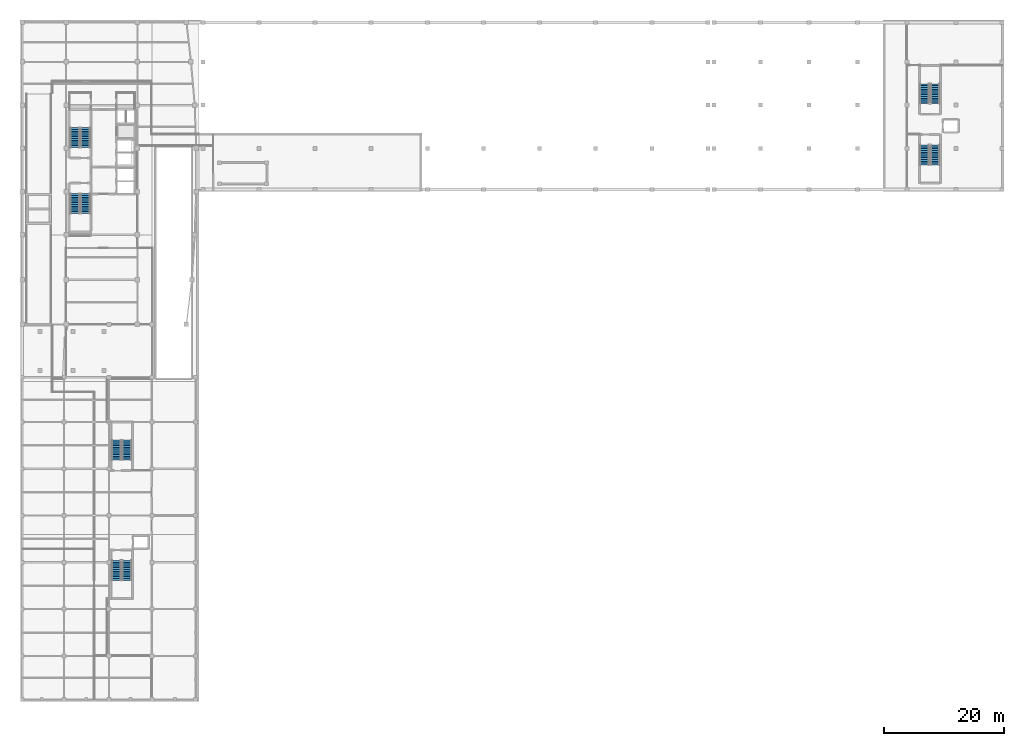
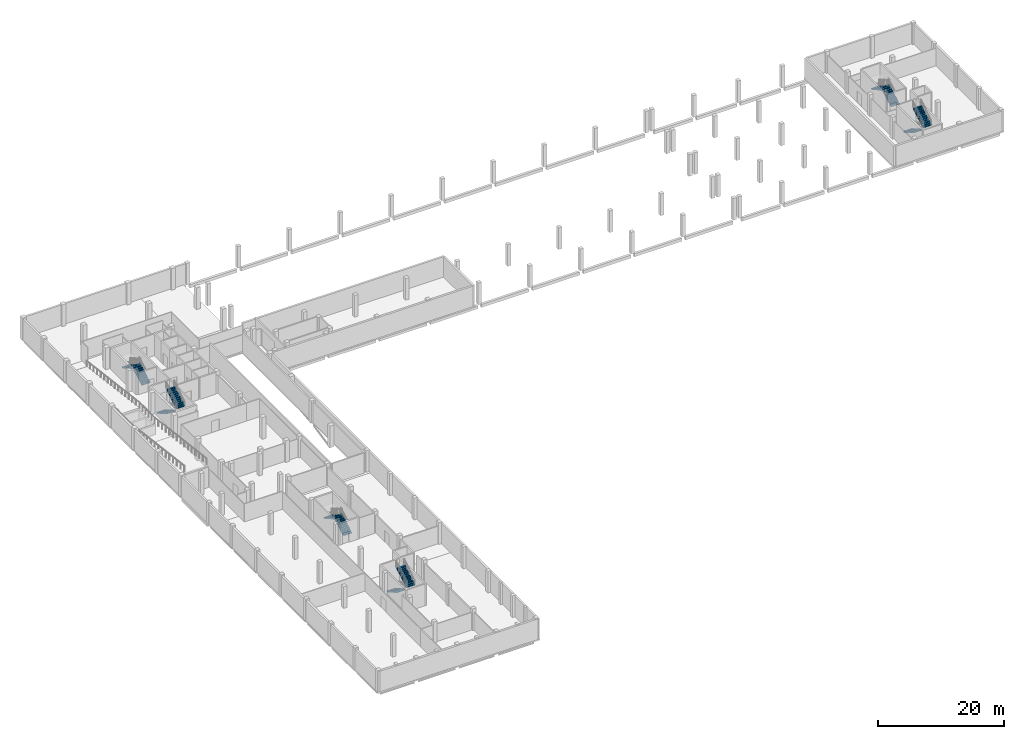
# One storey, part 10 of 15: 12 stair flights, 6 elements without a shape of their own.
"""IFC4 building model written with IfcOpenShell, lengths in metres."""

from ifc_helpers import new_model, si_unit, direction, frame, origin, place, context, subcontext, project, spatial, polyline, outline, extrude, material, type_object, element, aggregate, save


model = new_model("IFC4")

# Units and contexts
model_context = context("Model", 3, precision=1e-05, world=origin(), true_north=direction((0.0, 1.0)))
body_context = subcontext(model_context, "Body", "Model", "MODEL_VIEW")
ifc_project = project(units=[si_unit("LENGTHUNIT", "METRE"), si_unit("AREAUNIT", "SQUARE_METRE"), si_unit("VOLUMEUNIT", "CUBIC_METRE"), si_unit("PLANEANGLEUNIT", "RADIAN"), si_unit("MASSUNIT", "GRAM", prefix="KILO")], contexts=[model_context])

# Site, building, storey
site_placement = place(None, origin())
site = spatial("IfcSite", under=ifc_project, at=site_placement, CompositionType="ELEMENT")
building_placement = place(site_placement, origin())
building = spatial("IfcBuilding", under=site, at=building_placement, Name="Quillay Park Conservatory", CompositionType="ELEMENT")
storey_placement = place(building_placement, frame((0.0, 0.0, -4.199951171875)))
storey = spatial("IfcBuildingStorey", under=building, at=storey_placement, Name="B1", CompositionType="ELEMENT", Elevation=-4.199951171875)

# Stair, stair flights
ifc_material_1 = material(Name="Concrete C35/45 (NCh170 Concrete C35/45)", Category="concrete")
stair_type = type_object("IfcStairType", Name="ENCLOSED DOG LEG STAIR 4200", PredefinedType="HALF_TURN_STAIR", material=ifc_material_1)
stair_1_placement = place(storey_placement, origin())
stair_1 = element("IfcStair", 1, at=stair_1_placement, inside=storey, type_object=stair_type, Name="B1 Tower Protected Exit Stair 1", PredefinedType="HALF_TURN_STAIR")
ifc_material_2 = material(Name="Concrete C35/45 (NCh170 Concrete C35/45)", Category="concrete")
stair_flight_type = type_object("IfcStairFlightType", Name="STRAIGHT STAIR FLIGHT 4200", PredefinedType="STRAIGHT", material=ifc_material_2)
stair_flight_1_placement = place(storey_placement, frame((11.090087890625, 92.550048828125, 0.0), z_axis=(0.0, 0.0, 1.0), x_axis=(0.0, 1.0, 0.0)))
stair_flight_1 = element("IfcStairFlight", 2, at=stair_flight_1_placement, type_object=stair_flight_type, Name="ST-T1 flight 1", NumberOfRisers=12, NumberOfTreads=11, PredefinedType="STRAIGHT", RiserHeight=0.175, TreadLength=0.3, context=body_context, shape_type="SweptSolid", body=[
    extrude(outline(polyline([(0.0, 0.0), (0.0, 0.175048828125), (0.300048828125, 0.175048828125), (0.300048828125, 0.35009765625), (0.60009765625, 0.35009765625), (0.60009765625, 0.52490234375), (0.89990234375, 0.52490234375), (0.89990234375, 0.699951171875), (1.199951171875, 0.699951171875), (1.199951171875, 0.875), (1.5, 0.875), (1.5, 1.050048828125), (1.800048828125, 1.050048828125), (1.800048828125, 1.22509765625), (2.10009765625, 1.22509765625), (2.10009765625, 1.39990234375), (2.39990234375, 1.39990234375), (2.39990234375, 1.574951171875), (2.699951171875, 1.574951171875), (2.699951171875, 1.75), (3.0, 1.75), (3.0, 1.925048828125), (3.300048828125, 1.925048828125), (3.300048828125, 2.10009765625), (3.300048828125, 1.75146484375), (0.297607421875, 0.0), (0.0, 0.0)])), frame((0.0, 0.780029296875, 0.0), z_axis=(0.0, -1.0, 0.0), x_axis=(1.0, 0.0, 0.0)), (0.0, 0.0, 1.0), 1.56005859375),
])
stair_flight_2_placement = place(storey_placement, frame((9.330078125, 95.85009765625, 2.099853515625), z_axis=(0.0, 0.0, 1.0), x_axis=(0.0, -1.0, 0.0)))
stair_flight_2 = element("IfcStairFlight", 3, at=stair_flight_2_placement, type_object=stair_flight_type, Name="ST-T1 flight 2", NumberOfRisers=12, NumberOfTreads=11, PredefinedType="STRAIGHT", RiserHeight=0.175, TreadLength=0.3, context=body_context, shape_type="SweptSolid", body=[
    extrude(outline(polyline([(0.0, 0.0), (0.0, 0.175048828125), (0.300048828125, 0.175048828125), (0.300048828125, 0.35009765625), (0.60009765625, 0.35009765625), (0.60009765625, 0.52490234375), (0.89990234375, 0.52490234375), (0.89990234375, 0.699951171875), (1.199951171875, 0.699951171875), (1.199951171875, 0.875), (1.5, 0.875), (1.5, 1.050048828125), (1.800048828125, 1.050048828125), (1.800048828125, 1.22509765625), (2.10009765625, 1.22509765625), (2.10009765625, 1.39990234375), (2.39990234375, 1.39990234375), (2.39990234375, 1.574951171875), (2.699951171875, 1.574951171875), (2.699951171875, 1.75), (3.0, 1.75), (3.0, 1.925048828125), (3.300048828125, 1.925048828125), (3.300048828125, 2.10009765625), (3.300048828125, 1.75146484375), (0.297607421875, 0.0), (0.0, 0.0)])), frame((0.0, 0.780029296875, 0.0), z_axis=(0.0, -1.0, 0.0), x_axis=(1.0, 0.0, 0.0)), (0.0, 0.0, 1.0), 1.56005859375),
])
aggregate(stair_1, [stair_flight_1, stair_flight_2])

stair_2_placement = place(storey_placement, origin())
stair_2 = element("IfcStair", 4, at=stair_2_placement, inside=storey, type_object=stair_type, Name="B1 Tower Protected Exit Stair 2", PredefinedType="HALF_TURN_STAIR")
stair_flight_3_placement = place(storey_placement, frame((9.330078125, 84.85009765625, 0.0), z_axis=(0.0, 0.0, 1.0), x_axis=(0.0, -1.0, 0.0)))
stair_flight_3 = element("IfcStairFlight", 5, at=stair_flight_3_placement, type_object=stair_flight_type, Name="ST-T2 flight 1", NumberOfRisers=12, NumberOfTreads=11, PredefinedType="STRAIGHT", RiserHeight=0.175, TreadLength=0.3, context=body_context, shape_type="SweptSolid", body=[
    extrude(outline(polyline([(0.0, 0.0), (0.0, 0.175048828125), (0.300048828125, 0.175048828125), (0.300048828125, 0.35009765625), (0.60009765625, 0.35009765625), (0.60009765625, 0.52490234375), (0.89990234375, 0.52490234375), (0.89990234375, 0.699951171875), (1.199951171875, 0.699951171875), (1.199951171875, 0.875), (1.5, 0.875), (1.5, 1.050048828125), (1.800048828125, 1.050048828125), (1.800048828125, 1.22509765625), (2.10009765625, 1.22509765625), (2.10009765625, 1.39990234375), (2.39990234375, 1.39990234375), (2.39990234375, 1.574951171875), (2.699951171875, 1.574951171875), (2.699951171875, 1.75), (3.0, 1.75), (3.0, 1.925048828125), (3.300048828125, 1.925048828125), (3.300048828125, 2.10009765625), (3.300048828125, 1.75146484375), (0.297607421875, 0.0), (0.0, 0.0)])), frame((0.0, 0.780029296875, 0.0), z_axis=(0.0, -1.0, 0.0), x_axis=(1.0, 0.0, 0.0)), (0.0, 0.0, 1.0), 1.56005859375),
])
stair_flight_4_placement = place(storey_placement, frame((11.090087890625, 81.550048828125, 2.099853515625), z_axis=(0.0, 0.0, 1.0), x_axis=(0.0, 1.0, 0.0)))
stair_flight_4 = element("IfcStairFlight", 6, at=stair_flight_4_placement, type_object=stair_flight_type, Name="ST-T2 flight 2", NumberOfRisers=12, NumberOfTreads=11, PredefinedType="STRAIGHT", RiserHeight=0.175, TreadLength=0.3, context=body_context, shape_type="SweptSolid", body=[
    extrude(outline(polyline([(0.0, 0.0), (0.0, 0.175048828125), (0.300048828125, 0.175048828125), (0.300048828125, 0.35009765625), (0.60009765625, 0.35009765625), (0.60009765625, 0.52490234375), (0.89990234375, 0.52490234375), (0.89990234375, 0.699951171875), (1.199951171875, 0.699951171875), (1.199951171875, 0.875), (1.5, 0.875), (1.5, 1.050048828125), (1.800048828125, 1.050048828125), (1.800048828125, 1.22509765625), (2.10009765625, 1.22509765625), (2.10009765625, 1.39990234375), (2.39990234375, 1.39990234375), (2.39990234375, 1.574951171875), (2.699951171875, 1.574951171875), (2.699951171875, 1.75), (3.0, 1.75), (3.0, 1.925048828125), (3.300048828125, 1.925048828125), (3.300048828125, 2.10009765625), (3.300048828125, 1.75146484375), (0.297607421875, 0.0), (0.0, 0.0)])), frame((0.0, 0.780029296875, 0.0), z_axis=(0.0, -1.0, 0.0), x_axis=(1.0, 0.0, 0.0)), (0.0, 0.0, 1.0), 1.56005859375),
])
aggregate(stair_2, [stair_flight_3, stair_flight_4])

stair_3_placement = place(storey_placement, origin())
stair_3 = element("IfcStair", 7, at=stair_3_placement, inside=storey, type_object=stair_type, Name="B1 Visitor Centre Exit Stair 1", PredefinedType="HALF_TURN_STAIR")
stair_flight_5_placement = place(storey_placement, frame((16.22998046875, 23.699951171875, 0.0), z_axis=(0.0, 0.0, 1.0), x_axis=(0.0, -1.0, 0.0)))
stair_flight_5 = element("IfcStairFlight", 8, at=stair_flight_5_placement, type_object=stair_flight_type, Name="ST-V1 flight 1", NumberOfRisers=12, NumberOfTreads=11, PredefinedType="STRAIGHT", RiserHeight=0.175, TreadLength=0.3, context=body_context, shape_type="SweptSolid", body=[
    extrude(outline(polyline([(0.0, 0.0), (0.0, 0.175048828125), (0.300048828125, 0.175048828125), (0.300048828125, 0.35009765625), (0.60009765625, 0.35009765625), (0.60009765625, 0.52490234375), (0.89990234375, 0.52490234375), (0.89990234375, 0.699951171875), (1.199951171875, 0.699951171875), (1.199951171875, 0.875), (1.5, 0.875), (1.5, 1.050048828125), (1.800048828125, 1.050048828125), (1.800048828125, 1.22509765625), (2.10009765625, 1.22509765625), (2.10009765625, 1.39990234375), (2.39990234375, 1.39990234375), (2.39990234375, 1.574951171875), (2.699951171875, 1.574951171875), (2.699951171875, 1.75), (3.0, 1.75), (3.0, 1.925048828125), (3.300048828125, 1.925048828125), (3.300048828125, 2.10009765625), (3.300048828125, 1.75146484375), (0.297607421875, 0.0), (0.0, 0.0)])), frame((0.0, 0.780029296875, 0.0), z_axis=(0.0, -1.0, 0.0), x_axis=(1.0, 0.0, 0.0)), (0.0, 0.0, 1.0), 1.56005859375),
])
stair_flight_6_placement = place(storey_placement, frame((17.989990234375, 20.39990234375, 2.099853515625), z_axis=(0.0, 0.0, 1.0), x_axis=(0.0, 1.0, 0.0)))
stair_flight_6 = element("IfcStairFlight", 9, at=stair_flight_6_placement, type_object=stair_flight_type, Name="ST-V1 flight 2", NumberOfRisers=12, NumberOfTreads=11, PredefinedType="STRAIGHT", RiserHeight=0.175, TreadLength=0.3, context=body_context, shape_type="SweptSolid", body=[
    extrude(outline(polyline([(0.0, 0.0), (0.0, 0.175048828125), (0.300048828125, 0.175048828125), (0.300048828125, 0.35009765625), (0.60009765625, 0.35009765625), (0.60009765625, 0.52490234375), (0.89990234375, 0.52490234375), (0.89990234375, 0.699951171875), (1.199951171875, 0.699951171875), (1.199951171875, 0.875), (1.5, 0.875), (1.5, 1.050048828125), (1.800048828125, 1.050048828125), (1.800048828125, 1.22509765625), (2.10009765625, 1.22509765625), (2.10009765625, 1.39990234375), (2.39990234375, 1.39990234375), (2.39990234375, 1.574951171875), (2.699951171875, 1.574951171875), (2.699951171875, 1.75), (3.0, 1.75), (3.0, 1.925048828125), (3.300048828125, 1.925048828125), (3.300048828125, 2.10009765625), (3.300048828125, 1.75146484375), (0.297607421875, 0.0), (0.0, 0.0)])), frame((0.0, 0.780029296875, 0.0), z_axis=(0.0, -1.0, 0.0), x_axis=(1.0, 0.0, 0.0)), (0.0, 0.0, 1.0), 1.56005859375),
])
aggregate(stair_3, [stair_flight_5, stair_flight_6])

stair_4_placement = place(storey_placement, origin())
stair_4 = element("IfcStair", 10, at=stair_4_placement, inside=storey, type_object=stair_type, Name="B1 Visitor Centre Exit Stair 2", PredefinedType="HALF_TURN_STAIR")
stair_flight_7_placement = place(storey_placement, frame((17.989990234375, 40.449951171875, 0.0), z_axis=(0.0, 0.0, 1.0), x_axis=(0.0, 1.0, 0.0)))
stair_flight_7 = element("IfcStairFlight", 11, at=stair_flight_7_placement, type_object=stair_flight_type, Name="ST-V2 flight 1", NumberOfRisers=12, NumberOfTreads=11, PredefinedType="STRAIGHT", RiserHeight=0.175, TreadLength=0.3, context=body_context, shape_type="SweptSolid", body=[
    extrude(outline(polyline([(0.0, 0.0), (0.0, 0.175048828125), (0.300048828125, 0.175048828125), (0.300048828125, 0.35009765625), (0.60009765625, 0.35009765625), (0.60009765625, 0.52490234375), (0.89990234375, 0.52490234375), (0.89990234375, 0.699951171875), (1.199951171875, 0.699951171875), (1.199951171875, 0.875), (1.5, 0.875), (1.5, 1.050048828125), (1.800048828125, 1.050048828125), (1.800048828125, 1.22509765625), (2.10009765625, 1.22509765625), (2.10009765625, 1.39990234375), (2.39990234375, 1.39990234375), (2.39990234375, 1.574951171875), (2.699951171875, 1.574951171875), (2.699951171875, 1.75), (3.0, 1.75), (3.0, 1.925048828125), (3.300048828125, 1.925048828125), (3.300048828125, 2.10009765625), (3.300048828125, 1.75146484375), (0.297607421875, 0.0), (0.0, 0.0)])), frame((0.0, 0.780029296875, 0.0), z_axis=(0.0, -1.0, 0.0), x_axis=(1.0, 0.0, 0.0)), (0.0, 0.0, 1.0), 1.56005859375),
])
stair_flight_8_placement = place(storey_placement, frame((16.22998046875, 43.75, 2.099853515625), z_axis=(0.0, 0.0, 1.0), x_axis=(0.0, -1.0, 0.0)))
stair_flight_8 = element("IfcStairFlight", 12, at=stair_flight_8_placement, type_object=stair_flight_type, Name="ST-V2 flight 2", NumberOfRisers=12, NumberOfTreads=11, PredefinedType="STRAIGHT", RiserHeight=0.175, TreadLength=0.3, context=body_context, shape_type="SweptSolid", body=[
    extrude(outline(polyline([(0.0, 0.0), (0.0, 0.175048828125), (0.300048828125, 0.175048828125), (0.300048828125, 0.35009765625), (0.60009765625, 0.35009765625), (0.60009765625, 0.52490234375), (0.89990234375, 0.52490234375), (0.89990234375, 0.699951171875), (1.199951171875, 0.699951171875), (1.199951171875, 0.875), (1.5, 0.875), (1.5, 1.050048828125), (1.800048828125, 1.050048828125), (1.800048828125, 1.22509765625), (2.10009765625, 1.22509765625), (2.10009765625, 1.39990234375), (2.39990234375, 1.39990234375), (2.39990234375, 1.574951171875), (2.699951171875, 1.574951171875), (2.699951171875, 1.75), (3.0, 1.75), (3.0, 1.925048828125), (3.300048828125, 1.925048828125), (3.300048828125, 2.10009765625), (3.300048828125, 1.75146484375), (0.297607421875, 0.0), (0.0, 0.0)])), frame((0.0, 0.780029296875, 0.0), z_axis=(0.0, -1.0, 0.0), x_axis=(1.0, 0.0, 0.0)), (0.0, 0.0, 1.0), 1.56005859375),
])
aggregate(stair_4, [stair_flight_7, stair_flight_8])

stair_5_placement = place(storey_placement, origin())
stair_5 = element("IfcStair", 13, at=stair_5_placement, inside=storey, type_object=stair_type, Name="B1 Auditorium Exit Stair 1", PredefinedType="HALF_TURN_STAIR")
stair_flight_9_placement = place(storey_placement, frame((150.97998046875, 92.949951171875, 0.0), z_axis=(0.0, 0.0, 1.0), x_axis=(0.0, -1.0, 0.0)))
stair_flight_9 = element("IfcStairFlight", 14, at=stair_flight_9_placement, type_object=stair_flight_type, Name="ST-A1 flight 1", NumberOfRisers=12, NumberOfTreads=11, PredefinedType="STRAIGHT", RiserHeight=0.175, TreadLength=0.3, context=body_context, shape_type="SweptSolid", body=[
    extrude(outline(polyline([(0.0, 0.0), (0.0, 0.175048828125), (0.300048828125, 0.175048828125), (0.300048828125, 0.35009765625), (0.60009765625, 0.35009765625), (0.60009765625, 0.52490234375), (0.89990234375, 0.52490234375), (0.89990234375, 0.699951171875), (1.199951171875, 0.699951171875), (1.199951171875, 0.875), (1.5, 0.875), (1.5, 1.050048828125), (1.800048828125, 1.050048828125), (1.800048828125, 1.22509765625), (2.10009765625, 1.22509765625), (2.10009765625, 1.39990234375), (2.39990234375, 1.39990234375), (2.39990234375, 1.574951171875), (2.699951171875, 1.574951171875), (2.699951171875, 1.75), (3.0, 1.75), (3.0, 1.925048828125), (3.300048828125, 1.925048828125), (3.300048828125, 2.10009765625), (3.300048828125, 1.75146484375), (0.297607421875, 0.0), (0.0, 0.0)])), frame((0.0, 0.780029296875, 0.0), z_axis=(0.0, -1.0, 0.0), x_axis=(1.0, 0.0, 0.0)), (0.0, 0.0, 1.0), 1.56005859375),
])
stair_flight_10_placement = place(storey_placement, frame((152.739990234375, 89.64990234375, 2.099853515625), z_axis=(0.0, 0.0, 1.0), x_axis=(0.0, 1.0, 0.0)))
stair_flight_10 = element("IfcStairFlight", 15, at=stair_flight_10_placement, type_object=stair_flight_type, Name="ST-A1 flight 2", NumberOfRisers=12, NumberOfTreads=11, PredefinedType="STRAIGHT", RiserHeight=0.175, TreadLength=0.3, context=body_context, shape_type="SweptSolid", body=[
    extrude(outline(polyline([(0.0, 0.0), (0.0, 0.175048828125), (0.300048828125, 0.175048828125), (0.300048828125, 0.35009765625), (0.60009765625, 0.35009765625), (0.60009765625, 0.52490234375), (0.89990234375, 0.52490234375), (0.89990234375, 0.699951171875), (1.199951171875, 0.699951171875), (1.199951171875, 0.875), (1.5, 0.875), (1.5, 1.050048828125), (1.800048828125, 1.050048828125), (1.800048828125, 1.22509765625), (2.10009765625, 1.22509765625), (2.10009765625, 1.39990234375), (2.39990234375, 1.39990234375), (2.39990234375, 1.574951171875), (2.699951171875, 1.574951171875), (2.699951171875, 1.75), (3.0, 1.75), (3.0, 1.925048828125), (3.300048828125, 1.925048828125), (3.300048828125, 2.10009765625), (3.300048828125, 1.75146484375), (0.297607421875, 0.0), (0.0, 0.0)])), frame((0.0, 0.780029296875, 0.0), z_axis=(0.0, -1.0, 0.0), x_axis=(1.0, 0.0, 0.0)), (0.0, 0.0, 1.0), 1.56005859375),
])
aggregate(stair_5, [stair_flight_9, stair_flight_10])

stair_6_placement = place(storey_placement, origin())
stair_6 = element("IfcStair", 16, at=stair_6_placement, inside=storey, type_object=stair_type, Name="B1 Auditorium Exit Stair 2", PredefinedType="HALF_TURN_STAIR")
stair_flight_11_placement = place(storey_placement, frame((152.739990234375, 99.85009765625, 0.0), z_axis=(0.0, 0.0, 1.0), x_axis=(0.0, 1.0, 0.0)))
stair_flight_11 = element("IfcStairFlight", 17, at=stair_flight_11_placement, type_object=stair_flight_type, Name="ST-A2 flight 1", NumberOfRisers=12, NumberOfTreads=11, PredefinedType="STRAIGHT", RiserHeight=0.175, TreadLength=0.3, context=body_context, shape_type="SweptSolid", body=[
    extrude(outline(polyline([(0.0, 0.0), (0.0, 0.175048828125), (0.300048828125, 0.175048828125), (0.300048828125, 0.35009765625), (0.60009765625, 0.35009765625), (0.60009765625, 0.52490234375), (0.89990234375, 0.52490234375), (0.89990234375, 0.699951171875), (1.199951171875, 0.699951171875), (1.199951171875, 0.875), (1.5, 0.875), (1.5, 1.050048828125), (1.800048828125, 1.050048828125), (1.800048828125, 1.22509765625), (2.10009765625, 1.22509765625), (2.10009765625, 1.39990234375), (2.39990234375, 1.39990234375), (2.39990234375, 1.574951171875), (2.699951171875, 1.574951171875), (2.699951171875, 1.75), (3.0, 1.75), (3.0, 1.925048828125), (3.300048828125, 1.925048828125), (3.300048828125, 2.10009765625), (3.300048828125, 1.75146484375), (0.297607421875, 0.0), (0.0, 0.0)])), frame((0.0, 0.780029296875, 0.0), z_axis=(0.0, -1.0, 0.0), x_axis=(1.0, 0.0, 0.0)), (0.0, 0.0, 1.0), 1.56005859375),
])
stair_flight_12_placement = place(storey_placement, frame((150.97998046875, 103.14990234375, 2.099853515625), z_axis=(0.0, 0.0, 1.0), x_axis=(0.0, -1.0, 0.0)))
stair_flight_12 = element("IfcStairFlight", 18, at=stair_flight_12_placement, type_object=stair_flight_type, Name="ST-A2 flight 2", NumberOfRisers=12, NumberOfTreads=11, PredefinedType="STRAIGHT", RiserHeight=0.175, TreadLength=0.3, context=body_context, shape_type="SweptSolid", body=[
    extrude(outline(polyline([(0.0, 0.0), (0.0, 0.175048828125), (0.300048828125, 0.175048828125), (0.300048828125, 0.35009765625), (0.60009765625, 0.35009765625), (0.60009765625, 0.52490234375), (0.89990234375, 0.52490234375), (0.89990234375, 0.699951171875), (1.199951171875, 0.699951171875), (1.199951171875, 0.875), (1.5, 0.875), (1.5, 1.050048828125), (1.800048828125, 1.050048828125), (1.800048828125, 1.22509765625), (2.10009765625, 1.22509765625), (2.10009765625, 1.39990234375), (2.39990234375, 1.39990234375), (2.39990234375, 1.574951171875), (2.699951171875, 1.574951171875), (2.699951171875, 1.75), (3.0, 1.75), (3.0, 1.925048828125), (3.300048828125, 1.925048828125), (3.300048828125, 2.10009765625), (3.300048828125, 1.75146484375), (0.297607421875, 0.0), (0.0, 0.0)])), frame((0.0, 0.780029296875, 0.0), z_axis=(0.0, -1.0, 0.0), x_axis=(1.0, 0.0, 0.0)), (0.0, 0.0, 1.0), 1.56005859375),
])
aggregate(stair_6, [stair_flight_11, stair_flight_12])

save(model, "model.ifc")
